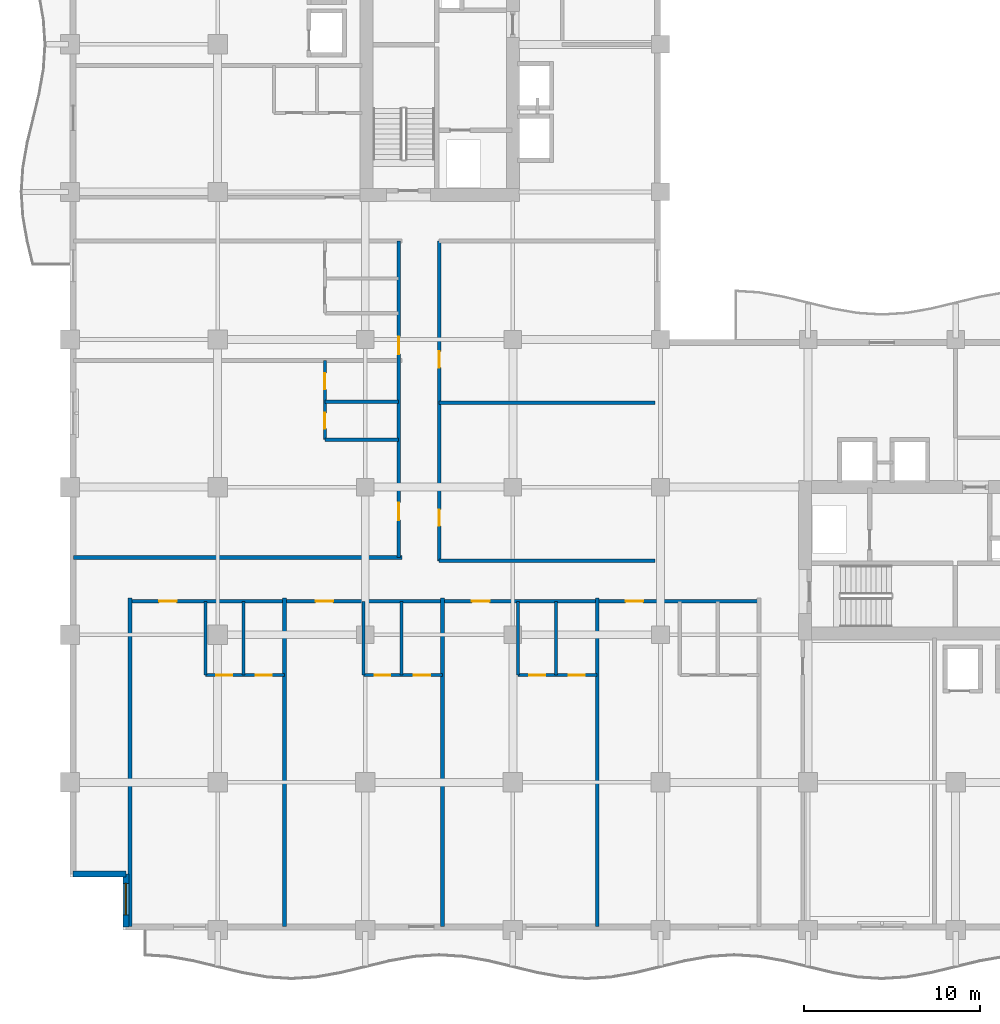
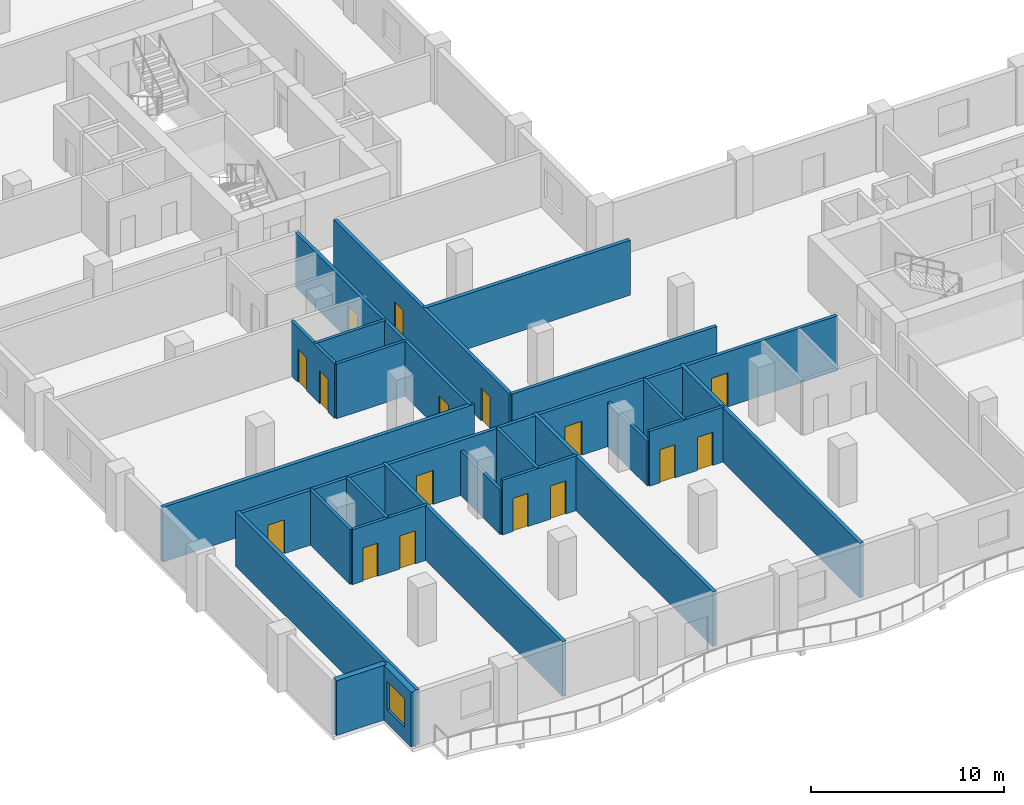
# One storey, part 9 of 22: 24 walls, 16 doors, 1 window, 17 openings.
"""IFC4 building model written with IfcOpenShell, lengths in metres."""

from ifc_helpers import new_model, si_unit, direction, frame, frame_2d, origin, place, context, subcontext, project, spatial, rectangle, extrude, material, layer, layer_set, type_object, element, fill, save


model = new_model("IFC4")

# Units and contexts
model_context = context("Model", 3, precision=1e-05, world=origin(), true_north=direction((0.0, 1.0)))
body_context = subcontext(model_context, "Body", "Model", "MODEL_VIEW")
ifc_project = project(units=[si_unit("LENGTHUNIT", "METRE"), si_unit("AREAUNIT", "SQUARE_METRE"), si_unit("VOLUMEUNIT", "CUBIC_METRE"), si_unit("PLANEANGLEUNIT", "RADIAN"), si_unit("MASSUNIT", "GRAM", prefix="KILO")], contexts=[model_context])

# Site, building, storey
site_placement = place(None, origin())
site = spatial("IfcSite", under=ifc_project, at=site_placement, CompositionType="ELEMENT")
building_placement = place(site_placement, origin())
building = spatial("IfcBuilding", under=site, at=building_placement, Name="Koriwani Terraces Tower", CompositionType="ELEMENT")
storey_placement = place(building_placement, frame((0.0, 0.0, 168.0)))
storey = spatial("IfcBuildingStorey", under=building, at=storey_placement, Name="L40", CompositionType="ELEMENT", Elevation=168.0)

# Wall, openings, doors
ifc_material_1 = material(Name="Autoclaved Cellular Concrete Blockwork", Category="masonry")
ifc_layer_1 = layer(ifc_material_1, 0.199951171875, Name="Autoclaved Cellular Concrete Blockwork")
ifc_layer_set_1 = layer_set([ifc_layer_1], Name="Autoclaved Cellular Concrete Blockwork")
wall_type_1 = type_object("IfcWallType", Name="WALL_CORRIDOR_200", PredefinedType="PARTITIONING", material=ifc_layer_set_1)
wall_1_placement = place(storey_placement, frame((21.0, 21.0, 0.0), z_axis=(0.0, 0.0, 1.0), x_axis=(0.0, 1.0, 0.0)))
wall_1 = element("IfcWall", 1, at=wall_1_placement, inside=storey, type_object=wall_type_1, Name="L40 Interior Wall WIC2-W-L40", PredefinedType="PARTITIONING", context=body_context, shape_type="SweptSolid", body=[
    extrude(rectangle(XDim=18.199951171875, YDim=0.199951171875, at=frame_2d((9.10009765625, 0.0))), origin(), (0.0, 0.0, 1.0), 3.469970703125),
])
opening_1_placement = place(wall_1_placement, frame((2.0, 0.0, 0.0)))
opening_1 = element("IfcOpeningElement", 2, at=opening_1_placement, cuts=wall_1, Name="Opening D-06", PredefinedType="OPENING", context=body_context, shape_type="SweptSolid", body=[
    extrude(rectangle(XDim=0.919921875, YDim=2.10009765625, at=frame_2d((0.4599609375, 1.050048828125))), frame((0.0, 0.10986328125, 0.0), z_axis=(0.0, -1.0, 0.0), x_axis=(1.0, 0.0, 0.0)), (0.0, 0.0, 1.0), 0.219970703125),
])
opening_2_placement = place(wall_1_placement, frame((11.0, 0.0, 0.0)))
opening_2 = element("IfcOpeningElement", 3, at=opening_2_placement, cuts=wall_1, Name="Opening D-06", PredefinedType="OPENING", context=body_context, shape_type="SweptSolid", body=[
    extrude(rectangle(XDim=0.919921875, YDim=2.10009765625, at=frame_2d((0.4599609375, 1.050048828125))), frame((0.0, 0.10986328125, 0.0), z_axis=(0.0, -1.0, 0.0), x_axis=(1.0, 0.0, 0.0)), (0.0, 0.0, 1.0), 0.219970703125),
])
ifc_material_2 = material(Name="Architectural Oak Fire Door", Category="wood")
door_type_1 = type_object("IfcDoorType", Name="DOOR_ROOM_INT_920X2100", OperationType="NOTDEFINED", PredefinedType="DOOR", material=ifc_material_2)
door_1_placement = place(opening_1_placement, origin())
door_1 = element("IfcDoor", 4, at=door_1_placement, inside=storey, type_object=door_type_1, Name="L40 Inner Court Salon Door", OperationType="SINGLE_SWING_RIGHT", OverallHeight=2.10009765625, OverallWidth=0.919921875, PredefinedType="DOOR", context=body_context, shape_type="SweptSolid", body=[
    extrude(rectangle(XDim=0.919921875, YDim=2.10009765625, at=frame_2d((0.4599609375, 1.050048828125))), frame((0.0, 0.02490234375, 0.0), z_axis=(0.0, -1.0, 0.0), x_axis=(1.0, 0.0, 0.0)), (0.0, 0.0, 1.0), 0.050048828125),
])
fill(opening_1, door_1)
door_2_placement = place(opening_2_placement, origin())
door_2 = element("IfcDoor", 5, at=door_2_placement, inside=storey, type_object=door_type_1, Name="L40 Inner Court Media Room Door", OperationType="SINGLE_SWING_LEFT", OverallHeight=2.10009765625, OverallWidth=0.919921875, PredefinedType="DOOR", context=body_context, shape_type="SweptSolid", body=[
    extrude(rectangle(XDim=0.919921875, YDim=2.10009765625, at=frame_2d((0.4599609375, 1.050048828125))), frame((0.0, 0.02490234375, 0.0), z_axis=(0.0, -1.0, 0.0), x_axis=(1.0, 0.0, 0.0)), (0.0, 0.0, 1.0), 0.050048828125),
])
fill(opening_2, door_2)

# Wall
wall_2_placement = place(storey_placement, frame((21.0, 21.0, 0.0), z_axis=(0.0, 0.0, 1.0), x_axis=(1.0, 0.0, 0.0)))
element("IfcWall", 6, at=wall_2_placement, inside=storey, type_object=wall_type_1, Name="L40 Interior Wall WIC2-S-L40", PredefinedType="PARTITIONING", context=body_context, shape_type="SweptSolid", body=[
    extrude(rectangle(XDim=12.300048828125, YDim=0.199951171875, at=frame_2d((6.14990234375, 0.0))), origin(), (0.0, 0.0, 1.0), 3.469970703125),
])

# Wall, openings, doors
wall_3_placement = place(storey_placement, frame((3.39990234375, 18.699951171875, 0.0), z_axis=(0.0, 0.0, 1.0), x_axis=(1.0, 0.0, 0.0)))
wall_3 = element("IfcWall", 7, at=wall_3_placement, inside=storey, type_object=wall_type_1, Name="L40 Interior Wall WRCOR-L40-SW-0", PredefinedType="PARTITIONING", context=body_context, shape_type="SweptSolid", body=[
    extrude(rectangle(XDim=35.800048828125, YDim=0.199951171875, at=frame_2d((17.89990234375, 0.0))), origin(), (0.0, 0.0, 1.0), 3.469970703125),
])
opening_3_placement = place(wall_3_placement, frame((1.669921875, 0.0, 0.0)))
opening_3 = element("IfcOpeningElement", 8, at=opening_3_placement, cuts=wall_3, Name="Opening D-05", PredefinedType="OPENING", context=body_context, shape_type="SweptSolid", body=[
    extrude(rectangle(XDim=1.0, YDim=2.14990234375, at=frame_2d((0.5, 1.074951171875))), frame((0.0, 0.10986328125, 0.0), z_axis=(0.0, -1.0, 0.0), x_axis=(1.0, 0.0, 0.0)), (0.0, 0.0, 1.0), 0.219970703125),
])
opening_4_placement = place(wall_3_placement, frame((10.570068359375, 0.0, 0.0)))
opening_4 = element("IfcOpeningElement", 9, at=opening_4_placement, cuts=wall_3, Name="Opening D-05", PredefinedType="OPENING", context=body_context, shape_type="SweptSolid", body=[
    extrude(rectangle(XDim=1.0, YDim=2.14990234375, at=frame_2d((0.5, 1.074951171875))), frame((0.0, 0.10986328125, 0.0), z_axis=(0.0, -1.0, 0.0), x_axis=(1.0, 0.0, 0.0)), (0.0, 0.0, 1.0), 0.219970703125),
])
opening_5_placement = place(wall_3_placement, frame((19.469970703125, 0.0, 0.0)))
opening_5 = element("IfcOpeningElement", 10, at=opening_5_placement, cuts=wall_3, Name="Opening D-05", PredefinedType="OPENING", context=body_context, shape_type="SweptSolid", body=[
    extrude(rectangle(XDim=1.0, YDim=2.14990234375, at=frame_2d((0.5, 1.074951171875))), frame((0.0, 0.10986328125, 0.0), z_axis=(0.0, -1.0, 0.0), x_axis=(1.0, 0.0, 0.0)), (0.0, 0.0, 1.0), 0.219970703125),
])
opening_6_placement = place(wall_3_placement, frame((28.219970703125, 0.0, 0.0)))
opening_6 = element("IfcOpeningElement", 11, at=opening_6_placement, cuts=wall_3, Name="Opening D-05", PredefinedType="OPENING", context=body_context, shape_type="SweptSolid", body=[
    extrude(rectangle(XDim=1.0, YDim=2.14990234375, at=frame_2d((0.5, 1.074951171875))), frame((0.0, 0.10986328125, 0.0), z_axis=(0.0, -1.0, 0.0), x_axis=(1.0, 0.0, 0.0)), (0.0, 0.0, 1.0), 0.219970703125),
])
door_type_2 = type_object("IfcDoorType", Name="DOOR_SUITE_ENTRY_1000X2150", OperationType="NOTDEFINED", PredefinedType="DOOR", material=ifc_material_2)
door_3_placement = place(opening_3_placement, origin())
door_3 = element("IfcDoor", 12, at=door_3_placement, inside=storey, type_object=door_type_2, Name="Apartment 40SW1 Entrance Door", OperationType="SINGLE_SWING_RIGHT", OverallHeight=2.14990234375, OverallWidth=1.0, PredefinedType="DOOR", context=body_context, shape_type="SweptSolid", body=[
    extrude(rectangle(XDim=1.0, YDim=2.14990234375, at=frame_2d((0.5, 1.074951171875))), frame((0.0, 0.02490234375, 0.0), z_axis=(0.0, -1.0, 0.0), x_axis=(1.0, 0.0, 0.0)), (0.0, 0.0, 1.0), 0.050048828125),
])
fill(opening_3, door_3)
door_4_placement = place(opening_4_placement, origin())
door_4 = element("IfcDoor", 13, at=door_4_placement, inside=storey, type_object=door_type_2, Name="Apartment 40SW2 Entrance Door", OperationType="SINGLE_SWING_LEFT", OverallHeight=2.14990234375, OverallWidth=1.0, PredefinedType="DOOR", context=body_context, shape_type="SweptSolid", body=[
    extrude(rectangle(XDim=1.0, YDim=2.14990234375, at=frame_2d((0.5, 1.074951171875))), frame((0.0, 0.02490234375, 0.0), z_axis=(0.0, -1.0, 0.0), x_axis=(1.0, 0.0, 0.0)), (0.0, 0.0, 1.0), 0.050048828125),
])
fill(opening_4, door_4)
door_5_placement = place(opening_5_placement, origin())
door_5 = element("IfcDoor", 14, at=door_5_placement, inside=storey, type_object=door_type_2, Name="Apartment 40SW3 Entrance Door", OperationType="SINGLE_SWING_RIGHT", OverallHeight=2.14990234375, OverallWidth=1.0, PredefinedType="DOOR", context=body_context, shape_type="SweptSolid", body=[
    extrude(rectangle(XDim=1.0, YDim=2.14990234375, at=frame_2d((0.5, 1.074951171875))), frame((0.0, 0.02490234375, 0.0), z_axis=(0.0, -1.0, 0.0), x_axis=(1.0, 0.0, 0.0)), (0.0, 0.0, 1.0), 0.050048828125),
])
fill(opening_5, door_5)
door_6_placement = place(opening_6_placement, origin())
door_6 = element("IfcDoor", 15, at=door_6_placement, inside=storey, type_object=door_type_2, Name="Apartment 40SW4 Entrance Door", OperationType="SINGLE_SWING_LEFT", OverallHeight=2.14990234375, OverallWidth=1.0, PredefinedType="DOOR", context=body_context, shape_type="SweptSolid", body=[
    extrude(rectangle(XDim=1.0, YDim=2.14990234375, at=frame_2d((0.5, 1.074951171875))), frame((0.0, 0.02490234375, 0.0), z_axis=(0.0, -1.0, 0.0), x_axis=(1.0, 0.0, 0.0)), (0.0, 0.0, 1.0), 0.050048828125),
])
fill(opening_6, door_6)

wall_4_placement = place(storey_placement, frame((18.699951171875, 21.199951171875, 0.0), z_axis=(0.0, 0.0, 1.0), x_axis=(0.0, 1.0, 0.0)))
wall_4 = element("IfcWall", 16, at=wall_4_placement, inside=storey, type_object=wall_type_1, Name="L40 Interior Wall WRCOR-L40-NW-0", PredefinedType="PARTITIONING", context=body_context, shape_type="SweptSolid", body=[
    extrude(rectangle(XDim=18.0, YDim=0.199951171875, at=frame_2d((9.0, 0.0))), origin(), (0.0, 0.0, 1.0), 3.469970703125),
])
opening_7_placement = place(wall_4_placement, frame((2.1201171875, 0.0, 0.0)))
opening_7 = element("IfcOpeningElement", 17, at=opening_7_placement, cuts=wall_4, Name="Opening D-05", PredefinedType="OPENING", context=body_context, shape_type="SweptSolid", body=[
    extrude(rectangle(XDim=1.0, YDim=2.14990234375, at=frame_2d((0.5, 1.074951171875))), frame((0.0, 0.10986328125, 0.0), z_axis=(0.0, -1.0, 0.0), x_axis=(1.0, 0.0, 0.0)), (0.0, 0.0, 1.0), 0.219970703125),
])
opening_8_placement = place(wall_4_placement, frame((11.570068359375, 0.0, 0.0)))
opening_8 = element("IfcOpeningElement", 18, at=opening_8_placement, cuts=wall_4, Name="Opening D-05", PredefinedType="OPENING", context=body_context, shape_type="SweptSolid", body=[
    extrude(rectangle(XDim=1.0, YDim=2.14990234375, at=frame_2d((0.5, 1.074951171875))), frame((0.0, 0.10986328125, 0.0), z_axis=(0.0, -1.0, 0.0), x_axis=(1.0, 0.0, 0.0)), (0.0, 0.0, 1.0), 0.219970703125),
])
door_7_placement = place(opening_7_placement, origin())
door_7 = element("IfcDoor", 19, at=door_7_placement, inside=storey, type_object=door_type_2, Name="Apartment 40NW1 Entrance Door", OperationType="SINGLE_SWING_RIGHT", OverallHeight=2.14990234375, OverallWidth=1.0, PredefinedType="DOOR", context=body_context, shape_type="SweptSolid", body=[
    extrude(rectangle(XDim=1.0, YDim=2.14990234375, at=frame_2d((0.5, 1.074951171875))), frame((0.0, 0.02490234375, 0.0), z_axis=(0.0, -1.0, 0.0), x_axis=(1.0, 0.0, 0.0)), (0.0, 0.0, 1.0), 0.050048828125),
])
fill(opening_7, door_7)
door_8_placement = place(opening_8_placement, origin())
door_8 = element("IfcDoor", 20, at=door_8_placement, inside=storey, type_object=door_type_2, Name="Apartment 40NW2 Entrance Door", OperationType="SINGLE_SWING_LEFT", OverallHeight=2.14990234375, OverallWidth=1.0, PredefinedType="DOOR", context=body_context, shape_type="SweptSolid", body=[
    extrude(rectangle(XDim=1.0, YDim=2.14990234375, at=frame_2d((0.5, 1.074951171875))), frame((0.0, 0.02490234375, 0.0), z_axis=(0.0, -1.0, 0.0), x_axis=(1.0, 0.0, 0.0)), (0.0, 0.0, 1.0), 0.050048828125),
])
fill(opening_8, door_8)

# Walls
ifc_layer_2 = layer(ifc_material_1, 0.219970703125, Name="Autoclaved Cellular Concrete Blockwork")
ifc_layer_set_2 = layer_set([ifc_layer_2], Name="Autoclaved Cellular Concrete Blockwork")
wall_type_2 = type_object("IfcWallType", Name="WALL_DEMISING_220", PredefinedType="PARTITIONING", material=ifc_layer_set_2)
wall_5_placement = place(storey_placement, frame((21.0, 30.0, 0.0), z_axis=(0.0, 0.0, 1.0), x_axis=(1.0, 0.0, 0.0)))
element("IfcWall", 21, at=wall_5_placement, inside=storey, type_object=wall_type_2, Name="L40 Interior Wall WIC2-M-L40", PredefinedType="PARTITIONING", context=body_context, shape_type="SweptSolid", body=[
    extrude(rectangle(XDim=12.300048828125, YDim=0.219970703125, at=frame_2d((6.14990234375, 0.0))), origin(), (0.0, 0.0, 1.0), 3.469970703125),
])
for number, where, z_axis, x_axis, name in (
    (22, (3.39990234375, 0.199951171875, 0.0), (0.0, 0.0, 1.0), (0.0, 1.0, 0.0), "L40 Interior Wall WRDEM-L40-SW-0"),
    (23, (12.199951171875, 0.199951171875, 0.0), (0.0, 0.0, 1.0), (0.0, 1.0, 0.0), "L40 Interior Wall WRDEM-L40-SW-1"),
    (24, (21.199951171875, 0.199951171875, 0.0), (0.0, 0.0, 1.0), (0.0, 1.0, 0.0), "L40 Interior Wall WRDEM-L40-SW-2"),
    (25, (30.0, 0.199951171875, 0.0), (0.0, 0.0, 1.0), (0.0, 1.0, 0.0), "L40 Interior Wall WRDEM-L40-SW-3"),
    (26, (0.199951171875, 21.199951171875, 0.0), (0.0, 0.0, 1.0), (1.0, 0.0, 0.0), "L40 Interior Wall WRDEM-L40-NW-0"),
):
    element("IfcWall", number, at=place(storey_placement, frame(where, z_axis=z_axis, x_axis=x_axis)), inside=storey, type_object=wall_type_2, Name=name, PredefinedType="PARTITIONING", context=body_context, shape_type="SweptSolid", body=[
        extrude(rectangle(XDim=18.679931640625, YDim=0.219970703125, at=frame_2d((9.33984375, 0.0))), origin(), (0.0, 0.0, 1.0), 3.469970703125),
    ])

# Wall, opening, window
ifc_material_3 = material(Name="Concrete C50/60", Category="concrete")
ifc_layer_3 = layer(ifc_material_3, 0.35009765625, Name="Concrete C50/60")
ifc_layer_set_3 = layer_set([ifc_layer_3], Name="Concrete C50/60")
wall_type_3 = type_object("IfcWallType", Name="WALL_EXT_BRUTALIST_350", PredefinedType="STANDARD", material=ifc_layer_set_3)
wall_6_placement = place(storey_placement, frame((3.175048828125, 0.175048828125, 0.0), z_axis=(0.0, 0.0, 1.0), x_axis=(0.0, 1.0, 0.0)))
wall_6 = element("IfcWall", 27, at=wall_6_placement, inside=storey, type_object=wall_type_3, Name="L40 Fair-Faced Brutalist Exterior Wall (N0)", PredefinedType="STANDARD", context=body_context, shape_type="SweptSolid", body=[
    extrude(rectangle(XDim=3.0, YDim=0.35009765625, at=frame_2d((1.5, 0.0))), origin(), (0.0, 0.0, 1.0), 3.469970703125),
])
opening_9_placement = place(wall_6_placement, frame((0.677490234375, 0.0, 0.85009765625)))
opening_9 = element("IfcOpeningElement", 28, at=opening_9_placement, cuts=wall_6, Name="Opening W-04", PredefinedType="OPENING", context=body_context, shape_type="SweptSolid", body=[
    extrude(rectangle(XDim=1.800048828125, YDim=1.800048828125, at=frame_2d((0.89990234375, 0.89990234375))), frame((0.0, 0.18505859375, 0.0), z_axis=(0.0, -1.0, 0.0), x_axis=(1.0, 0.0, 0.0)), (0.0, 0.0, 1.0), 0.3701171875),
])
ifc_material_4 = material(Name="Tempered Laminated Low-E Glass", Category="glass")
window_type = type_object("IfcWindowType", Name="WIN_RES_BED_1800X1800", PartitioningType="DOUBLE_PANEL_VERTICAL", PredefinedType="WINDOW", material=ifc_material_4)
window_placement = place(opening_9_placement, origin())
window = element("IfcWindow", 29, at=window_placement, inside=storey, type_object=window_type, Name="L40 Exterior Window (N0-R35)", OverallHeight=1.800048828125, OverallWidth=1.800048828125, PartitioningType="SINGLE_PANEL", PredefinedType="WINDOW", context=body_context, shape_type="SweptSolid", body=[
    extrude(rectangle(XDim=1.800048828125, YDim=1.800048828125, at=frame_2d((0.89990234375, 0.89990234375))), frame((0.0, 0.030029296875, 0.0), z_axis=(0.0, -1.0, 0.0), x_axis=(1.0, 0.0, 0.0)), (0.0, 0.0, 1.0), 0.06005859375),
])
fill(opening_9, window)

# Wall
wall_7_placement = place(storey_placement, frame((3.175048828125, 3.175048828125, 0.0), z_axis=(0.0, 0.0, 1.0), x_axis=(-1.0, 0.0, 0.0)))
element("IfcWall", 30, at=wall_7_placement, inside=storey, type_object=wall_type_3, Name="L40 Fair-Faced Brutalist Exterior Wall (N1)", PredefinedType="STANDARD", context=body_context, shape_type="SweptSolid", body=[
    extrude(rectangle(XDim=3.0, YDim=0.35009765625, at=frame_2d((1.5, 0.0))), origin(), (0.0, 0.0, 1.0), 3.469970703125),
])

# Wall, openings, doors
ifc_material_5 = material(Name="Fire-Rated Acoustic Gypsum Partition", Category="masonry")
ifc_layer_4 = layer(ifc_material_5, 0.179931640625, Name="Fire-Rated Acoustic Gypsum Partition")
ifc_layer_set_4 = layer_set([ifc_layer_4], Name="Fire-Rated Acoustic Gypsum Partition")
wall_type_4 = type_object("IfcWallType", Name="WALL_PLUMBING_180", PredefinedType="PLUMBINGWALL", material=ifc_layer_set_4)
wall_8_placement = place(storey_placement, frame((7.699951171875, 14.5, 0.0), z_axis=(0.0, 0.0, 1.0), x_axis=(1.0, 0.0, 0.0)))
wall_8 = element("IfcWall", 31, at=wall_8_placement, inside=storey, type_object=wall_type_4, Name="L40 Interior Wall WRSVC-L40-SW-0", PredefinedType="PLUMBINGWALL", context=body_context, shape_type="SweptSolid", body=[
    extrude(rectangle(XDim=4.5, YDim=0.179931640625, at=frame_2d((2.25, 0.0))), origin(), (0.0, 0.0, 1.0), 3.469970703125),
])
opening_10_placement = place(wall_8_placement, frame((0.6298828125, 0.0, 0.0)))
opening_10 = element("IfcOpeningElement", 32, at=opening_10_placement, cuts=wall_8, Name="Opening D-07", PredefinedType="OPENING", context=body_context, shape_type="SweptSolid", body=[
    extrude(rectangle(XDim=0.89990234375, YDim=2.10009765625, at=frame_2d((0.449951171875, 1.050048828125))), frame((0.0, 0.10009765625, 0.0), z_axis=(0.0, -1.0, 0.0), x_axis=(1.0, 0.0, 0.0)), (0.0, 0.0, 1.0), 0.199951171875),
])
opening_11_placement = place(wall_8_placement, frame((2.8701171875, 0.0, 0.0)))
opening_11 = element("IfcOpeningElement", 33, at=opening_11_placement, cuts=wall_8, Name="Opening D-06", PredefinedType="OPENING", context=body_context, shape_type="SweptSolid", body=[
    extrude(rectangle(XDim=0.919921875, YDim=2.10009765625, at=frame_2d((0.4599609375, 1.050048828125))), frame((0.0, 0.10009765625, 0.0), z_axis=(0.0, -1.0, 0.0), x_axis=(1.0, 0.0, 0.0)), (0.0, 0.0, 1.0), 0.199951171875),
])
door_type_3 = type_object("IfcDoorType", Name="DOOR_BATH_INT_900X2100", OperationType="NOTDEFINED", PredefinedType="DOOR", material=ifc_material_2)
door_9_placement = place(opening_10_placement, origin())
door_9 = element("IfcDoor", 34, at=door_9_placement, inside=storey, type_object=door_type_3, Name="Apartment 40SW1 Bathroom Door", OperationType="SINGLE_SWING_LEFT", OverallHeight=2.10009765625, OverallWidth=0.89990234375, PredefinedType="DOOR", context=body_context, shape_type="SweptSolid", body=[
    extrude(rectangle(XDim=0.89990234375, YDim=2.10009765625, at=frame_2d((0.449951171875, 1.050048828125))), frame((0.0, 0.02490234375, 0.0), z_axis=(0.0, -1.0, 0.0), x_axis=(1.0, 0.0, 0.0)), (0.0, 0.0, 1.0), 0.050048828125),
])
fill(opening_10, door_9)
door_10_placement = place(opening_11_placement, origin())
door_10 = element("IfcDoor", 35, at=door_10_placement, inside=storey, type_object=door_type_1, Name="Apartment 40SW1 Kitchen Door", OperationType="SINGLE_SWING_RIGHT", OverallHeight=2.10009765625, OverallWidth=0.919921875, PredefinedType="DOOR", context=body_context, shape_type="SweptSolid", body=[
    extrude(rectangle(XDim=0.919921875, YDim=2.10009765625, at=frame_2d((0.4599609375, 1.050048828125))), frame((0.0, 0.02490234375, 0.0), z_axis=(0.0, -1.0, 0.0), x_axis=(1.0, 0.0, 0.0)), (0.0, 0.0, 1.0), 0.050048828125),
])
fill(opening_11, door_10)

# Walls
for number, where, z_axis, x_axis, name in (
    (36, (7.699951171875, 14.5, 0.0), (0.0, 0.0, 1.0), (0.0, 1.0, 0.0), "L40 Interior Wall WRSVCS-L40-SW-0"),
    (37, (9.860107421875, 14.5, 0.0), (0.0, 0.0, 1.0), (0.0, 1.0, 0.0), "L40 Interior Wall WRSVCM-L40-SW-0"),
):
    element("IfcWall", number, at=place(storey_placement, frame(where, z_axis=z_axis, x_axis=x_axis)), inside=storey, type_object=wall_type_4, Name=name, PredefinedType="PLUMBINGWALL", context=body_context, shape_type="SweptSolid", body=[
        extrude(rectangle(XDim=4.199951171875, YDim=0.179931640625, at=frame_2d((2.10009765625, 0.0))), origin(), (0.0, 0.0, 1.0), 3.469970703125),
    ])

# Wall, openings, doors
wall_9_placement = place(storey_placement, frame((16.699951171875, 14.5, 0.0), z_axis=(0.0, 0.0, 1.0), x_axis=(1.0, 0.0, 0.0)))
wall_9 = element("IfcWall", 38, at=wall_9_placement, inside=storey, type_object=wall_type_4, Name="L40 Interior Wall WRSVC-L40-SW-1", PredefinedType="PLUMBINGWALL", context=body_context, shape_type="SweptSolid", body=[
    extrude(rectangle(XDim=4.5, YDim=0.179931640625, at=frame_2d((2.25, 0.0))), origin(), (0.0, 0.0, 1.0), 3.469970703125),
])
opening_12_placement = place(wall_9_placement, frame((0.6298828125, 0.0, 0.0)))
opening_12 = element("IfcOpeningElement", 39, at=opening_12_placement, cuts=wall_9, Name="Opening D-07", PredefinedType="OPENING", context=body_context, shape_type="SweptSolid", body=[
    extrude(rectangle(XDim=0.89990234375, YDim=2.10009765625, at=frame_2d((0.449951171875, 1.050048828125))), frame((0.0, 0.10009765625, 0.0), z_axis=(0.0, -1.0, 0.0), x_axis=(1.0, 0.0, 0.0)), (0.0, 0.0, 1.0), 0.199951171875),
])
opening_13_placement = place(wall_9_placement, frame((2.8701171875, 0.0, 0.0)))
opening_13 = element("IfcOpeningElement", 40, at=opening_13_placement, cuts=wall_9, Name="Opening D-06", PredefinedType="OPENING", context=body_context, shape_type="SweptSolid", body=[
    extrude(rectangle(XDim=0.919921875, YDim=2.10009765625, at=frame_2d((0.4599609375, 1.050048828125))), frame((0.0, 0.10009765625, 0.0), z_axis=(0.0, -1.0, 0.0), x_axis=(1.0, 0.0, 0.0)), (0.0, 0.0, 1.0), 0.199951171875),
])
door_11_placement = place(opening_12_placement, origin())
door_11 = element("IfcDoor", 41, at=door_11_placement, inside=storey, type_object=door_type_3, Name="Apartment 40SW2 Bathroom Door", OperationType="SINGLE_SWING_RIGHT", OverallHeight=2.10009765625, OverallWidth=0.89990234375, PredefinedType="DOOR", context=body_context, shape_type="SweptSolid", body=[
    extrude(rectangle(XDim=0.89990234375, YDim=2.10009765625, at=frame_2d((0.449951171875, 1.050048828125))), frame((0.0, 0.02490234375, 0.0), z_axis=(0.0, -1.0, 0.0), x_axis=(1.0, 0.0, 0.0)), (0.0, 0.0, 1.0), 0.050048828125),
])
fill(opening_12, door_11)
door_12_placement = place(opening_13_placement, origin())
door_12 = element("IfcDoor", 42, at=door_12_placement, inside=storey, type_object=door_type_1, Name="Apartment 40SW2 Kitchen Door", OperationType="SINGLE_SWING_LEFT", OverallHeight=2.10009765625, OverallWidth=0.919921875, PredefinedType="DOOR", context=body_context, shape_type="SweptSolid", body=[
    extrude(rectangle(XDim=0.919921875, YDim=2.10009765625, at=frame_2d((0.4599609375, 1.050048828125))), frame((0.0, 0.02490234375, 0.0), z_axis=(0.0, -1.0, 0.0), x_axis=(1.0, 0.0, 0.0)), (0.0, 0.0, 1.0), 0.050048828125),
])
fill(opening_13, door_12)

# Walls
wall_10_placement = place(storey_placement, frame((16.699951171875, 14.5, 0.0), z_axis=(0.0, 0.0, 1.0), x_axis=(0.0, 1.0, 0.0)))
element("IfcWall", 43, at=wall_10_placement, inside=storey, type_object=wall_type_4, Name="L40 Interior Wall WRSVCS-L40-SW-1", PredefinedType="PLUMBINGWALL", context=body_context, shape_type="SweptSolid", body=[
    extrude(rectangle(XDim=4.199951171875, YDim=0.179931640625, at=frame_2d((2.10009765625, 0.0))), origin(), (0.0, 0.0, 1.0), 2.820068359375),
])
wall_11_placement = place(storey_placement, frame((18.860107421875, 14.5, 0.0), z_axis=(0.0, 0.0, 1.0), x_axis=(0.0, 1.0, 0.0)))
element("IfcWall", 44, at=wall_11_placement, inside=storey, type_object=wall_type_4, Name="L40 Interior Wall WRSVCM-L40-SW-1", PredefinedType="PLUMBINGWALL", context=body_context, shape_type="SweptSolid", body=[
    extrude(rectangle(XDim=4.199951171875, YDim=0.179931640625, at=frame_2d((2.10009765625, 0.0))), origin(), (0.0, 0.0, 1.0), 3.469970703125),
])

# Wall, openings, doors
wall_12_placement = place(storey_placement, frame((25.5, 14.5, 0.0), z_axis=(0.0, 0.0, 1.0), x_axis=(1.0, 0.0, 0.0)))
wall_12 = element("IfcWall", 45, at=wall_12_placement, inside=storey, type_object=wall_type_4, Name="L40 Interior Wall WRSVC-L40-SW-2", PredefinedType="PLUMBINGWALL", context=body_context, shape_type="SweptSolid", body=[
    extrude(rectangle(XDim=4.5, YDim=0.179931640625, at=frame_2d((2.25, 0.0))), origin(), (0.0, 0.0, 1.0), 3.469970703125),
])
opening_14_placement = place(wall_12_placement, frame((0.6298828125, 0.0, 0.0)))
opening_14 = element("IfcOpeningElement", 46, at=opening_14_placement, cuts=wall_12, Name="Opening D-07", PredefinedType="OPENING", context=body_context, shape_type="SweptSolid", body=[
    extrude(rectangle(XDim=0.89990234375, YDim=2.10009765625, at=frame_2d((0.449951171875, 1.050048828125))), frame((0.0, 0.10009765625, 0.0), z_axis=(0.0, -1.0, 0.0), x_axis=(1.0, 0.0, 0.0)), (0.0, 0.0, 1.0), 0.199951171875),
])
opening_15_placement = place(wall_12_placement, frame((2.8701171875, 0.0, 0.0)))
opening_15 = element("IfcOpeningElement", 47, at=opening_15_placement, cuts=wall_12, Name="Opening D-06", PredefinedType="OPENING", context=body_context, shape_type="SweptSolid", body=[
    extrude(rectangle(XDim=0.919921875, YDim=2.10009765625, at=frame_2d((0.4599609375, 1.050048828125))), frame((0.0, 0.10009765625, 0.0), z_axis=(0.0, -1.0, 0.0), x_axis=(1.0, 0.0, 0.0)), (0.0, 0.0, 1.0), 0.199951171875),
])
door_13_placement = place(opening_14_placement, origin())
door_13 = element("IfcDoor", 48, at=door_13_placement, inside=storey, type_object=door_type_3, Name="Apartment 40SW3 Bathroom Door", OperationType="SINGLE_SWING_LEFT", OverallHeight=2.10009765625, OverallWidth=0.89990234375, PredefinedType="DOOR", context=body_context, shape_type="SweptSolid", body=[
    extrude(rectangle(XDim=0.89990234375, YDim=2.10009765625, at=frame_2d((0.449951171875, 1.050048828125))), frame((0.0, 0.02490234375, 0.0), z_axis=(0.0, -1.0, 0.0), x_axis=(1.0, 0.0, 0.0)), (0.0, 0.0, 1.0), 0.050048828125),
])
fill(opening_14, door_13)
door_14_placement = place(opening_15_placement, origin())
door_14 = element("IfcDoor", 49, at=door_14_placement, inside=storey, type_object=door_type_1, Name="Apartment 40SW3 Kitchen Door", OperationType="SINGLE_SWING_RIGHT", OverallHeight=2.10009765625, OverallWidth=0.919921875, PredefinedType="DOOR", context=body_context, shape_type="SweptSolid", body=[
    extrude(rectangle(XDim=0.919921875, YDim=2.10009765625, at=frame_2d((0.4599609375, 1.050048828125))), frame((0.0, 0.02490234375, 0.0), z_axis=(0.0, -1.0, 0.0), x_axis=(1.0, 0.0, 0.0)), (0.0, 0.0, 1.0), 0.050048828125),
])
fill(opening_15, door_14)

# Walls
wall_13_placement = place(storey_placement, frame((25.5, 14.5, 0.0), z_axis=(0.0, 0.0, 1.0), x_axis=(0.0, 1.0, 0.0)))
element("IfcWall", 50, at=wall_13_placement, inside=storey, type_object=wall_type_4, Name="L40 Interior Wall WRSVCS-L40-SW-2", PredefinedType="PLUMBINGWALL", context=body_context, shape_type="SweptSolid", body=[
    extrude(rectangle(XDim=4.199951171875, YDim=0.179931640625, at=frame_2d((2.10009765625, 0.0))), origin(), (0.0, 0.0, 1.0), 2.820068359375),
])
wall_14_placement = place(storey_placement, frame((27.659912109375, 14.5, 0.0), z_axis=(0.0, 0.0, 1.0), x_axis=(0.0, 1.0, 0.0)))
element("IfcWall", 51, at=wall_14_placement, inside=storey, type_object=wall_type_4, Name="L40 Interior Wall WRSVCM-L40-SW-2", PredefinedType="PLUMBINGWALL", context=body_context, shape_type="SweptSolid", body=[
    extrude(rectangle(XDim=4.199951171875, YDim=0.179931640625, at=frame_2d((2.10009765625, 0.0))), origin(), (0.0, 0.0, 1.0), 3.469970703125),
])

# Wall, openings, doors
wall_15_placement = place(storey_placement, frame((14.5, 27.89990234375, 0.0), z_axis=(0.0, 0.0, 1.0), x_axis=(0.0, 1.0, 0.0)))
wall_15 = element("IfcWall", 52, at=wall_15_placement, inside=storey, type_object=wall_type_4, Name="L40 Interior Wall WRSVC-L40-NW-0", PredefinedType="PLUMBINGWALL", context=body_context, shape_type="SweptSolid", body=[
    extrude(rectangle(XDim=4.5, YDim=0.179931640625, at=frame_2d((2.25, 0.0))), origin(), (0.0, 0.0, 1.0), 3.469970703125),
])
opening_16_placement = place(wall_15_placement, frame((0.6298828125, 0.0, 0.0)))
opening_16 = element("IfcOpeningElement", 53, at=opening_16_placement, cuts=wall_15, Name="Opening D-07", PredefinedType="OPENING", context=body_context, shape_type="SweptSolid", body=[
    extrude(rectangle(XDim=0.89990234375, YDim=2.10009765625, at=frame_2d((0.449951171875, 1.050048828125))), frame((0.0, 0.10009765625, 0.0), z_axis=(0.0, -1.0, 0.0), x_axis=(1.0, 0.0, 0.0)), (0.0, 0.0, 1.0), 0.199951171875),
])
opening_17_placement = place(wall_15_placement, frame((2.8701171875, 0.0, 0.0)))
opening_17 = element("IfcOpeningElement", 54, at=opening_17_placement, cuts=wall_15, Name="Opening D-06", PredefinedType="OPENING", context=body_context, shape_type="SweptSolid", body=[
    extrude(rectangle(XDim=0.919921875, YDim=2.10009765625, at=frame_2d((0.4599609375, 1.050048828125))), frame((0.0, 0.10009765625, 0.0), z_axis=(0.0, -1.0, 0.0), x_axis=(1.0, 0.0, 0.0)), (0.0, 0.0, 1.0), 0.199951171875),
])
door_15_placement = place(opening_16_placement, origin())
door_15 = element("IfcDoor", 55, at=door_15_placement, inside=storey, type_object=door_type_3, Name="Apartment 40NW1 Bathroom Door", OperationType="SINGLE_SWING_LEFT", OverallHeight=2.10009765625, OverallWidth=0.89990234375, PredefinedType="DOOR", context=body_context, shape_type="SweptSolid", body=[
    extrude(rectangle(XDim=0.89990234375, YDim=2.10009765625, at=frame_2d((0.449951171875, 1.050048828125))), frame((0.0, 0.02490234375, 0.0), z_axis=(0.0, -1.0, 0.0), x_axis=(1.0, 0.0, 0.0)), (0.0, 0.0, 1.0), 0.050048828125),
])
fill(opening_16, door_15)
door_16_placement = place(opening_17_placement, origin())
door_16 = element("IfcDoor", 56, at=door_16_placement, inside=storey, type_object=door_type_1, Name="Apartment 40NW1 Kitchen Door", OperationType="SINGLE_SWING_RIGHT", OverallHeight=2.10009765625, OverallWidth=0.919921875, PredefinedType="DOOR", context=body_context, shape_type="SweptSolid", body=[
    extrude(rectangle(XDim=0.919921875, YDim=2.10009765625, at=frame_2d((0.4599609375, 1.050048828125))), frame((0.0, 0.02490234375, 0.0), z_axis=(0.0, -1.0, 0.0), x_axis=(1.0, 0.0, 0.0)), (0.0, 0.0, 1.0), 0.050048828125),
])
fill(opening_17, door_16)

# Walls
for number, where, z_axis, x_axis, name in (
    (57, (14.5, 27.89990234375, 0.0), (0.0, 0.0, 1.0), (1.0, 0.0, 0.0), "L40 Interior Wall WRSVCS-L40-NW-0"),
    (58, (14.5, 30.06005859375, 0.0), (0.0, 0.0, 1.0), (1.0, 0.0, 0.0), "L40 Interior Wall WRSVCM-L40-NW-0"),
):
    element("IfcWall", number, at=place(storey_placement, frame(where, z_axis=z_axis, x_axis=x_axis)), inside=storey, type_object=wall_type_4, Name=name, PredefinedType="PLUMBINGWALL", context=body_context, shape_type="SweptSolid", body=[
        extrude(rectangle(XDim=4.199951171875, YDim=0.179931640625, at=frame_2d((2.10009765625, 0.0))), origin(), (0.0, 0.0, 1.0), 3.469970703125),
    ])

save(model, "model.ifc")
